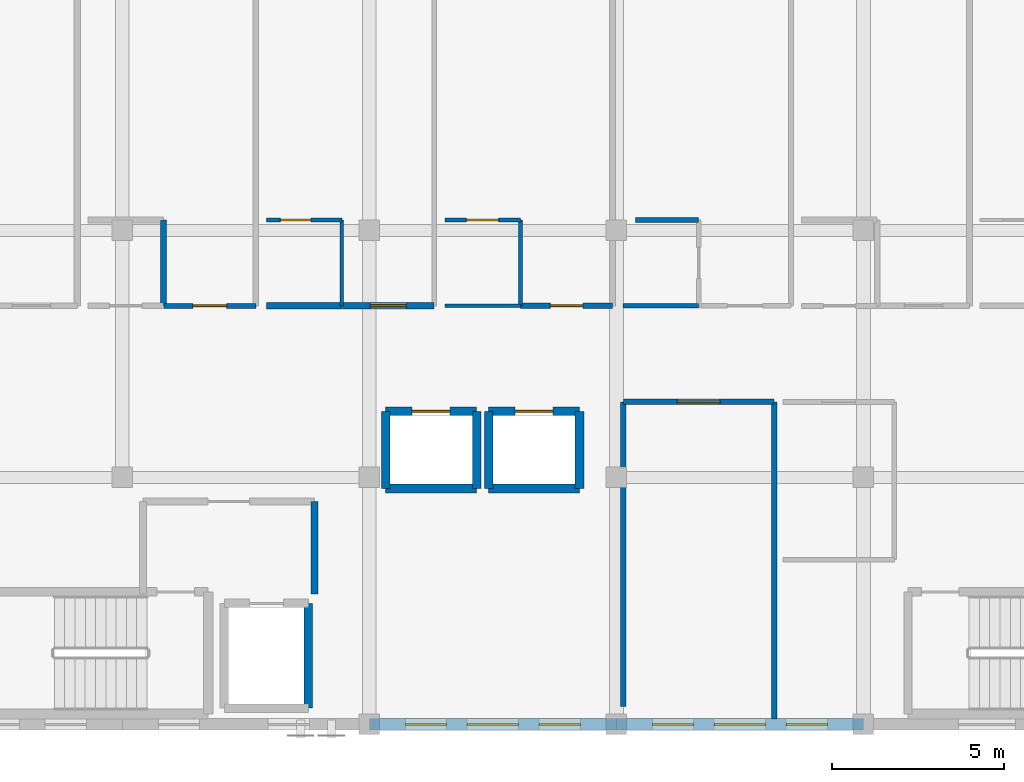
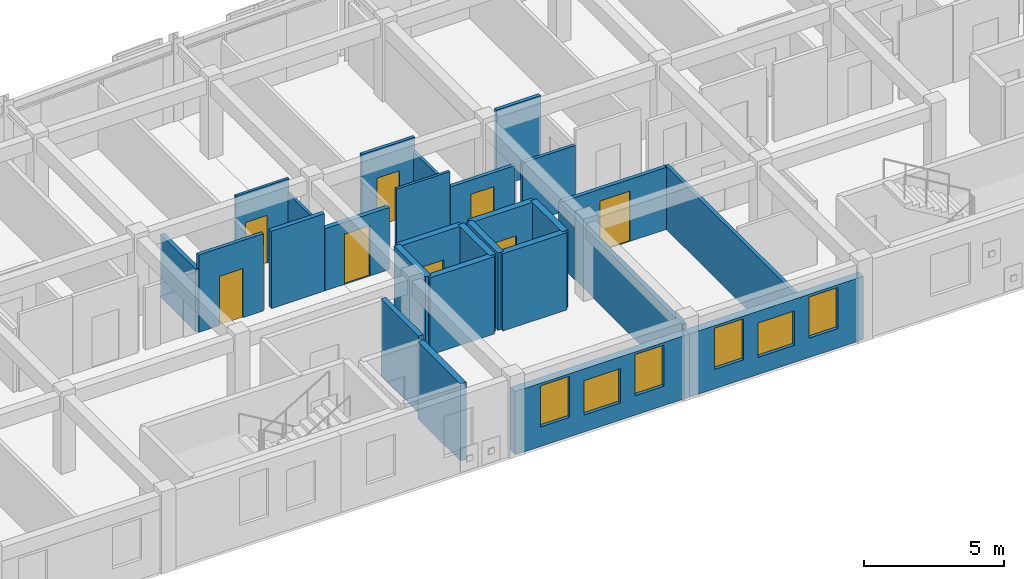
# One storey, part 33 of 41: 27 walls, 8 doors, 6 windows, 14 openings.
"""IFC4 building model written with IfcOpenShell, lengths in metres."""

from ifc_helpers import new_model, si_unit, direction, frame, frame_2d, origin, place, context, subcontext, project, spatial, rectangle, extrude, material, layer, layer_set, type_object, element, fill, save


model = new_model("IFC4")

# Units and contexts
model_context = context("Model", 3, precision=1e-05, world=origin(), true_north=direction((0.0, 1.0)))
body_context = subcontext(model_context, "Body", "Model", "MODEL_VIEW")
ifc_project = project(units=[si_unit("LENGTHUNIT", "METRE"), si_unit("AREAUNIT", "SQUARE_METRE"), si_unit("VOLUMEUNIT", "CUBIC_METRE"), si_unit("PLANEANGLEUNIT", "RADIAN"), si_unit("MASSUNIT", "GRAM", prefix="KILO")], contexts=[model_context])

# Site, building, storey
site_placement = place(None, origin())
site = spatial("IfcSite", under=ifc_project, at=site_placement, CompositionType="ELEMENT")
building_placement = place(site_placement, origin())
building = spatial("IfcBuilding", under=site, at=building_placement, Name="Carrowvane Square Congress Hotel", CompositionType="ELEMENT")
storey_placement = place(building_placement, frame((0.0, 0.0, 37.199951171875)))
storey = spatial("IfcBuildingStorey", under=building, at=storey_placement, Name="L09", CompositionType="ELEMENT", Elevation=37.199951171875)

# Wall, openings, windows
ifc_material_1 = material(Name="Glazed terracotta rainscreen", Category="masonry")
ifc_layer_1 = layer(ifc_material_1, 0.330078125)
ifc_layer_set_1 = layer_set([ifc_layer_1], Name="Glazed terracotta rainscreen")
wall_type_1 = type_object("IfcWallType", Name="WL-EXT-TC330", PredefinedType="STANDARD", material=ifc_layer_set_1)
wall_1_placement = place(storey_placement, frame((98.0, 91.800048828125, 0.0), z_axis=(0.0, 0.0, 1.0), x_axis=(-1.0, 0.0, 0.0)))
wall_1 = element("IfcWall", 1, at=wall_1_placement, inside=storey, type_object=wall_type_1, Name="L09 exterior facade wall 571", PredefinedType="STANDARD", context=body_context, shape_type="SweptSolid", body=[
    extrude(rectangle(XDim=7.199951171875, YDim=0.330078125, at=frame_2d((3.60009765625, 0.0))), origin(), (0.0, 0.0, 1.0), 2.76513671875),
])
opening_1_placement = place(wall_1_placement, frame((2.85009765625, 0.0, 0.75)))
opening_1 = element("IfcOpeningElement", 2, at=opening_1_placement, cuts=wall_1, Name="Opening W-15", PredefinedType="OPENING", context=body_context, shape_type="SweptSolid", body=[
    extrude(rectangle(XDim=1.5, YDim=1.5, at=frame_2d((0.75, 0.75))), frame((0.0, 0.175048828125, 0.0), z_axis=(0.0, -1.0, 0.0), x_axis=(1.0, 0.0, 0.0)), (0.0, 0.0, 1.0), 0.35009765625),
])
opening_2_placement = place(wall_1_placement, frame((1.050048828125, 0.0, 0.85009765625)))
opening_2 = element("IfcOpeningElement", 3, at=opening_2_placement, cuts=wall_1, Name="Opening W-01", PredefinedType="OPENING", context=body_context, shape_type="SweptSolid", body=[
    extrude(rectangle(XDim=1.199951171875, YDim=1.800048828125, at=frame_2d((0.60009765625, 0.89990234375))), frame((0.0, 0.175048828125, 0.0), z_axis=(0.0, -1.0, 0.0), x_axis=(1.0, 0.0, 0.0)), (0.0, 0.0, 1.0), 0.35009765625),
])
opening_3_placement = place(wall_1_placement, frame((4.949951171875, 0.0, 0.85009765625)))
opening_3 = element("IfcOpeningElement", 4, at=opening_3_placement, cuts=wall_1, Name="Opening W-01", PredefinedType="OPENING", context=body_context, shape_type="SweptSolid", body=[
    extrude(rectangle(XDim=1.199951171875, YDim=1.800048828125, at=frame_2d((0.60009765625, 0.89990234375))), frame((0.0, 0.175048828125, 0.0), z_axis=(0.0, -1.0, 0.0), x_axis=(1.0, 0.0, 0.0)), (0.0, 0.0, 1.0), 0.35009765625),
])
ifc_material_2 = material(Name="Double-glazed low-E glass", Category="glass")
window_type_1 = type_object("IfcWindowType", Name="WIN-01", PartitioningType="SINGLE_PANEL", PredefinedType="WINDOW", material=ifc_material_2)
window_1_placement = place(opening_2_placement, origin())
window_1 = element("IfcWindow", 5, at=window_1_placement, inside=storey, type_object=window_type_1, Name="L09 guest bedroom window 429", OverallHeight=1.800048828125, OverallWidth=1.199951171875, PartitioningType="SINGLE_PANEL", PredefinedType="WINDOW", context=body_context, shape_type="SweptSolid", body=[
    extrude(rectangle(XDim=1.199951171875, YDim=1.800048828125, at=frame_2d((0.60009765625, 0.89990234375))), frame((0.0, 0.030029296875, 0.0), z_axis=(0.0, -1.0, 0.0), x_axis=(1.0, 0.0, 0.0)), (0.0, 0.0, 1.0), 0.06005859375),
])
fill(opening_2, window_1)
window_2_placement = place(opening_3_placement, origin())
window_2 = element("IfcWindow", 6, at=window_2_placement, inside=storey, type_object=window_type_1, Name="L09 guest bedroom window 430", OverallHeight=1.800048828125, OverallWidth=1.199951171875, PartitioningType="SINGLE_PANEL", PredefinedType="WINDOW", context=body_context, shape_type="SweptSolid", body=[
    extrude(rectangle(XDim=1.199951171875, YDim=1.800048828125, at=frame_2d((0.60009765625, 0.89990234375))), frame((0.0, 0.030029296875, 0.0), z_axis=(0.0, -1.0, 0.0), x_axis=(1.0, 0.0, 0.0)), (0.0, 0.0, 1.0), 0.06005859375),
])
fill(opening_3, window_2)
ifc_material_3 = material(Name="Double-glazed low-E glass", Category="glass")
window_type_2 = type_object("IfcWindowType", Name="WIN-15", PartitioningType="SINGLE_PANEL", PredefinedType="WINDOW", material=ifc_material_3)
window_3_placement = place(opening_1_placement, origin())
window_3 = element("IfcWindow", 7, at=window_3_placement, inside=storey, type_object=window_type_2, Name="L09 facade window 428", OverallHeight=1.5, OverallWidth=1.5, PartitioningType="SINGLE_PANEL", PredefinedType="WINDOW", context=body_context, shape_type="SweptSolid", body=[
    extrude(rectangle(XDim=1.5, YDim=1.5, at=frame_2d((0.75, 0.75))), frame((0.0, 0.030029296875, 0.0), z_axis=(0.0, -1.0, 0.0), x_axis=(1.0, 0.0, 0.0)), (0.0, 0.0, 1.0), 0.06005859375),
])
fill(opening_1, window_3)

wall_2_placement = place(storey_placement, frame((90.800048828125, 91.800048828125, 0.0), z_axis=(0.0, 0.0, 1.0), x_axis=(-1.0, 0.0, 0.0)))
wall_2 = element("IfcWall", 8, at=wall_2_placement, inside=storey, type_object=wall_type_1, Name="L09 exterior facade wall 572", PredefinedType="STANDARD", context=body_context, shape_type="SweptSolid", body=[
    extrude(rectangle(XDim=7.199951171875, YDim=0.330078125, at=frame_2d((3.60009765625, 0.0))), origin(), (0.0, 0.0, 1.0), 2.76513671875),
])
opening_4_placement = place(wall_2_placement, frame((2.85009765625, 0.0, 0.75)))
opening_4 = element("IfcOpeningElement", 9, at=opening_4_placement, cuts=wall_2, Name="Opening W-15", PredefinedType="OPENING", context=body_context, shape_type="SweptSolid", body=[
    extrude(rectangle(XDim=1.5, YDim=1.5, at=frame_2d((0.75, 0.75))), frame((0.0, 0.175048828125, 0.0), z_axis=(0.0, -1.0, 0.0), x_axis=(1.0, 0.0, 0.0)), (0.0, 0.0, 1.0), 0.35009765625),
])
opening_5_placement = place(wall_2_placement, frame((1.050048828125, 0.0, 0.85009765625)))
opening_5 = element("IfcOpeningElement", 10, at=opening_5_placement, cuts=wall_2, Name="Opening W-01", PredefinedType="OPENING", context=body_context, shape_type="SweptSolid", body=[
    extrude(rectangle(XDim=1.199951171875, YDim=1.800048828125, at=frame_2d((0.60009765625, 0.89990234375))), frame((0.0, 0.175048828125, 0.0), z_axis=(0.0, -1.0, 0.0), x_axis=(1.0, 0.0, 0.0)), (0.0, 0.0, 1.0), 0.35009765625),
])
opening_6_placement = place(wall_2_placement, frame((4.949951171875, 0.0, 0.85009765625)))
opening_6 = element("IfcOpeningElement", 11, at=opening_6_placement, cuts=wall_2, Name="Opening W-01", PredefinedType="OPENING", context=body_context, shape_type="SweptSolid", body=[
    extrude(rectangle(XDim=1.199951171875, YDim=1.800048828125, at=frame_2d((0.60009765625, 0.89990234375))), frame((0.0, 0.175048828125, 0.0), z_axis=(0.0, -1.0, 0.0), x_axis=(1.0, 0.0, 0.0)), (0.0, 0.0, 1.0), 0.35009765625),
])
window_4_placement = place(opening_5_placement, origin())
window_4 = element("IfcWindow", 12, at=window_4_placement, inside=storey, type_object=window_type_1, Name="L09 guest bedroom window 432", OverallHeight=1.800048828125, OverallWidth=1.199951171875, PartitioningType="SINGLE_PANEL", PredefinedType="WINDOW", context=body_context, shape_type="SweptSolid", body=[
    extrude(rectangle(XDim=1.199951171875, YDim=1.800048828125, at=frame_2d((0.60009765625, 0.89990234375))), frame((0.0, 0.030029296875, 0.0), z_axis=(0.0, -1.0, 0.0), x_axis=(1.0, 0.0, 0.0)), (0.0, 0.0, 1.0), 0.06005859375),
])
fill(opening_5, window_4)
window_5_placement = place(opening_6_placement, origin())
window_5 = element("IfcWindow", 13, at=window_5_placement, inside=storey, type_object=window_type_1, Name="L09 guest bedroom window 433", OverallHeight=1.800048828125, OverallWidth=1.199951171875, PartitioningType="SINGLE_PANEL", PredefinedType="WINDOW", context=body_context, shape_type="SweptSolid", body=[
    extrude(rectangle(XDim=1.199951171875, YDim=1.800048828125, at=frame_2d((0.60009765625, 0.89990234375))), frame((0.0, 0.030029296875, 0.0), z_axis=(0.0, -1.0, 0.0), x_axis=(1.0, 0.0, 0.0)), (0.0, 0.0, 1.0), 0.06005859375),
])
fill(opening_6, window_5)
window_6_placement = place(opening_4_placement, origin())
window_6 = element("IfcWindow", 14, at=window_6_placement, inside=storey, type_object=window_type_2, Name="L09 facade window 431", OverallHeight=1.5, OverallWidth=1.5, PartitioningType="SINGLE_PANEL", PredefinedType="WINDOW", context=body_context, shape_type="SweptSolid", body=[
    extrude(rectangle(XDim=1.5, YDim=1.5, at=frame_2d((0.75, 0.75))), frame((0.0, 0.030029296875, 0.0), z_axis=(0.0, -1.0, 0.0), x_axis=(1.0, 0.0, 0.0)), (0.0, 0.0, 1.0), 0.06005859375),
])
fill(opening_4, window_6)

# Wall, opening, door
ifc_material_4 = material(Name="Acoustic gypsum board", Category="gypsum")
ifc_layer_2 = layer(ifc_material_4, 0.155029296875)
ifc_layer_set_2 = layer_set([ifc_layer_2], Name="Acoustic gypsum board")
wall_type_2 = type_object("IfcWallType", Name="WL-FIR-155", PredefinedType="PARTITIONING", material=ifc_layer_set_2)
wall_3_placement = place(storey_placement, frame((91.0, 101.199951171875, 0.0), z_axis=(0.0, 0.0, 1.0), x_axis=(1.0, 0.0, 0.0)))
wall_3 = element("IfcWall", 15, at=wall_3_placement, inside=storey, type_object=wall_type_2, Name="L09 L09 Housekeeping Linen Pantry partition", PredefinedType="PARTITIONING", context=body_context, shape_type="SweptSolid", body=[
    extrude(rectangle(XDim=4.39990234375, YDim=0.155029296875, at=frame_2d((2.199951171875, 0.0))), origin(), (0.0, 0.0, 1.0), 2.715087890625),
])
opening_7_placement = place(wall_3_placement, frame((1.574951171875, 0.0, 0.0)))
opening_7 = element("IfcOpeningElement", 16, at=opening_7_placement, cuts=wall_3, Name="Opening ID-10", PredefinedType="OPENING", context=body_context, shape_type="SweptSolid", body=[
    extrude(rectangle(XDim=1.25, YDim=2.199951171875, at=frame_2d((0.625, 1.10009765625))), frame((0.0, 0.08740234375, 0.0), z_axis=(0.0, -1.0, 0.0), x_axis=(1.0, 0.0, 0.0)), (0.0, 0.0, 1.0), 0.175048828125),
])
ifc_material_5 = material(Name="European oak timber", Category="wood")
door_type_1 = type_object("IfcDoorType", Name="DR-INT-1250x2200", OperationType="NOTDEFINED", PredefinedType="DOOR", material=ifc_material_5)
door_1_placement = place(opening_7_placement, origin())
door_1 = element("IfcDoor", 17, at=door_1_placement, inside=storey, type_object=door_type_1, Name="L09 L09 Housekeeping Linen Pantry entrance door", OperationType="SINGLE_SWING_LEFT", OverallHeight=2.199951171875, OverallWidth=1.25, PredefinedType="DOOR", context=body_context, shape_type="SweptSolid", body=[
    extrude(rectangle(XDim=1.25, YDim=2.199951171875, at=frame_2d((0.625, 1.10009765625))), frame((0.0, 0.02490234375, 0.0), z_axis=(0.0, -1.0, 0.0), x_axis=(1.0, 0.0, 0.0)), (0.0, 0.0, 1.0), 0.050048828125),
])
fill(opening_7, door_1)

wall_4_placement = place(storey_placement, frame((90.68994140625, 104.0, 0.0), z_axis=(0.0, 0.0, 1.0), x_axis=(-1.0, 0.0, 0.0)))
wall_4 = element("IfcWall", 18, at=wall_4_placement, inside=storey, type_object=wall_type_2, Name="L09 Parkview Guest Bedroom 0914 partition", PredefinedType="PARTITIONING", context=body_context, shape_type="SweptSolid", body=[
    extrude(rectangle(XDim=2.679931640625, YDim=0.155029296875, at=frame_2d((1.33984375, 0.0))), origin(), (0.0, 0.0, 1.0), 2.715087890625),
])
opening_8_placement = place(wall_4_placement, frame((0.864990234375, 0.0, 0.0)))
opening_8 = element("IfcOpeningElement", 19, at=opening_8_placement, cuts=wall_4, Name="Opening FD-06", PredefinedType="OPENING", context=body_context, shape_type="SweptSolid", body=[
    extrude(rectangle(XDim=0.949951171875, YDim=2.10009765625, at=frame_2d((0.47509765625, 1.050048828125))), frame((0.0, 0.08740234375, 0.0), z_axis=(0.0, -1.0, 0.0), x_axis=(1.0, 0.0, 0.0)), (0.0, 0.0, 1.0), 0.175048828125),
])
ifc_material_6 = material(Name="European oak timber", Category="wood")
door_type_2 = type_object("IfcDoorType", Name="DR-FD30-0950x2100", OperationType="NOTDEFINED", PredefinedType="DOOR", material=ifc_material_6)
door_2_placement = place(opening_8_placement, origin())
door_2 = element("IfcDoor", 20, at=door_2_placement, inside=storey, type_object=door_type_2, Name="L09 Parkview Guest Bedroom 0914 entrance door", OperationType="SINGLE_SWING_RIGHT", OverallHeight=2.10009765625, OverallWidth=0.949951171875, PredefinedType="DOOR", context=body_context, shape_type="SweptSolid", body=[
    extrude(rectangle(XDim=0.949951171875, YDim=2.10009765625, at=frame_2d((0.47509765625, 1.050048828125))), frame((0.0, 0.02490234375, 0.0), z_axis=(0.0, -1.0, 0.0), x_axis=(1.0, 0.0, 0.0)), (0.0, 0.0, 1.0), 0.050048828125),
])
fill(opening_8, door_2)

# Walls
ifc_material_7 = material(Name="Acoustic gypsum board", Category="gypsum")
ifc_layer_3 = layer(ifc_material_7, 0.169921875)
ifc_layer_set_3 = layer_set([ifc_layer_3], Name="Acoustic gypsum board")
wall_type_3 = type_object("IfcWallType", Name="WL-FIR-170", PredefinedType="PARTITIONING", material=ifc_layer_set_3)
wall_5_placement = place(storey_placement, frame((91.0, 92.320068359375, 0.0), z_axis=(0.0, 0.0, 1.0), x_axis=(0.0, 1.0, 0.0)))
element("IfcWall", 21, at=wall_5_placement, inside=storey, type_object=wall_type_3, Name="L09 L09 Housekeeping Linen Pantry partition", PredefinedType="PARTITIONING", context=body_context, shape_type="SweptSolid", body=[
    extrude(rectangle(XDim=8.8798828125, YDim=0.169921875, at=frame_2d((4.43994140625, 0.0))), origin(), (0.0, 0.0, 1.0), 2.715087890625),
])
wall_6_placement = place(storey_placement, frame((77.60009765625, 106.5, 0.0), z_axis=(0.0, 0.0, 1.0), x_axis=(0.0, -1.0, 0.0)))
element("IfcWall", 22, at=wall_6_placement, inside=storey, type_object=wall_type_3, Name="L09 En-suite Bathroom 0912 partition", PredefinedType="PARTITIONING", context=body_context, shape_type="SweptSolid", body=[
    extrude(rectangle(XDim=2.5, YDim=0.169921875, at=frame_2d((1.25, 0.0))), origin(), (0.0, 0.0, 1.0), 2.76513671875),
])
ifc_material_8 = material(Name="Acoustic gypsum board", Category="gypsum")
ifc_layer_4 = layer(ifc_material_8, 0.18505859375)
ifc_layer_set_4 = layer_set([ifc_layer_4], Name="Acoustic gypsum board")
wall_type_4 = type_object("IfcWallType", Name="WL-FIR-185", PredefinedType="PARTITIONING", material=ifc_layer_set_4)
wall_7_placement = place(storey_placement, frame((82.800048828125, 104.0, 0.0), z_axis=(0.0, 0.0, 1.0), x_axis=(-1.0, 0.0, 0.0)))
element("IfcWall", 23, at=wall_7_placement, inside=storey, type_object=wall_type_4, Name="L09 En-suite Bathroom 0913 partition", PredefinedType="PARTITIONING", context=body_context, shape_type="SweptSolid", body=[
    extrude(rectangle(XDim=2.199951171875, YDim=0.18505859375, at=frame_2d((1.10009765625, 0.0))), origin(), (0.0, 0.0, 1.0), 3.380126953125),
])

# Wall, opening, door
wall_8_placement = place(storey_placement, frame((85.489990234375, 104.0, 0.0), z_axis=(0.0, 0.0, 1.0), x_axis=(-1.0, 0.0, 0.0)))
wall_8 = element("IfcWall", 24, at=wall_8_placement, inside=storey, type_object=wall_type_4, Name="L09 Parkview Guest Bedroom 0913 partition", PredefinedType="PARTITIONING", context=body_context, shape_type="SweptSolid", body=[
    extrude(rectangle(XDim=2.679931640625, YDim=0.18505859375, at=frame_2d((1.33984375, 0.0))), origin(), (0.0, 0.0, 1.0), 2.715087890625),
])
opening_9_placement = place(wall_8_placement, frame((0.81005859375, 0.0, 0.0)))
opening_9 = element("IfcOpeningElement", 25, at=opening_9_placement, cuts=wall_8, Name="Opening FD-09", PredefinedType="OPENING", context=body_context, shape_type="SweptSolid", body=[
    extrude(rectangle(XDim=1.06005859375, YDim=2.199951171875, at=frame_2d((0.530029296875, 1.10009765625))), frame((0.0, 0.1025390625, 0.0), z_axis=(0.0, -1.0, 0.0), x_axis=(1.0, 0.0, 0.0)), (0.0, 0.0, 1.0), 0.205078125),
])
ifc_material_9 = material(Name="European oak timber", Category="wood")
door_type_3 = type_object("IfcDoorType", Name="DR-FD30-1060x2200", OperationType="NOTDEFINED", PredefinedType="DOOR", material=ifc_material_9)
door_3_placement = place(opening_9_placement, origin())
door_3 = element("IfcDoor", 26, at=door_3_placement, inside=storey, type_object=door_type_3, Name="L09 Parkview Guest Bedroom 0913 entrance door", OperationType="SINGLE_SWING_RIGHT", OverallHeight=2.199951171875, OverallWidth=1.06005859375, PredefinedType="DOOR", context=body_context, shape_type="SweptSolid", body=[
    extrude(rectangle(XDim=1.06005859375, YDim=2.199951171875, at=frame_2d((0.530029296875, 1.10009765625))), frame((0.0, 0.02490234375, 0.0), z_axis=(0.0, -1.0, 0.0), x_axis=(1.0, 0.0, 0.0)), (0.0, 0.0, 1.0), 0.050048828125),
])
fill(opening_9, door_3)

# Walls
ifc_material_10 = material(Name="Acoustic gypsum board", Category="gypsum")
ifc_layer_5 = layer(ifc_material_10, 0.205078125)
ifc_layer_set_5 = layer_set([ifc_layer_5], Name="Acoustic gypsum board")
wall_type_5 = type_object("IfcWallType", Name="WL-FIR-205", PredefinedType="PARTITIONING", material=ifc_layer_set_5)
wall_9_placement = place(storey_placement, frame((82.0, 95.60009765625, 0.0), z_axis=(0.0, 0.0, 1.0), x_axis=(0.0, 1.0, 0.0)))
element("IfcWall", 27, at=wall_9_placement, inside=storey, type_object=wall_type_5, Name="L09 Firefighting Lobby C2 wall east", PredefinedType="PARTITIONING", context=body_context, shape_type="SweptSolid", body=[
    extrude(rectangle(XDim=2.699951171875, YDim=0.205078125, at=frame_2d((1.35009765625, 0.0))), origin(), (0.0, 0.0, 1.0), 3.380126953125),
])
ifc_material_11 = material(Name="Acoustic gypsum board", Category="gypsum")
ifc_layer_6 = layer(ifc_material_11, 0.097900390625)
ifc_layer_set_6 = layer_set([ifc_layer_6], Name="Acoustic gypsum board")
wall_type_6 = type_object("IfcWallType", Name="WL-PRT-098", PredefinedType="PARTITIONING", material=ifc_layer_set_6)
wall_10_placement = place(storey_placement, frame((82.800048828125, 106.5, 0.0), z_axis=(0.0, 0.0, 1.0), x_axis=(0.0, -1.0, 0.0)))
element("IfcWall", 28, at=wall_10_placement, inside=storey, type_object=wall_type_6, Name="L09 En-suite Bathroom 0913 partition", PredefinedType="PARTITIONING", context=body_context, shape_type="SweptSolid", body=[
    extrude(rectangle(XDim=2.5, YDim=0.097900390625, at=frame_2d((1.25, 0.0))), origin(), (0.0, 0.0, 1.0), 2.76513671875),
])

# Wall, opening, door
ifc_material_12 = material(Name="Acoustic gypsum board", Category="gypsum")
ifc_layer_7 = layer(ifc_material_12, 0.10791015625)
ifc_layer_set_7 = layer_set([ifc_layer_7], Name="Acoustic gypsum board")
wall_type_7 = type_object("IfcWallType", Name="WL-PRT-108", PredefinedType="PARTITIONING", material=ifc_layer_set_7)
wall_11_placement = place(storey_placement, frame((80.60009765625, 106.5, 0.0), z_axis=(0.0, 0.0, 1.0), x_axis=(1.0, 0.0, 0.0)))
wall_11 = element("IfcWall", 29, at=wall_11_placement, inside=storey, type_object=wall_type_7, Name="L09 En-suite Bathroom 0913 partition", PredefinedType="PARTITIONING", context=body_context, shape_type="SweptSolid", body=[
    extrude(rectangle(XDim=2.199951171875, YDim=0.10791015625, at=frame_2d((1.10009765625, 0.0))), origin(), (0.0, 0.0, 1.0), 3.380126953125),
])
opening_10_placement = place(wall_11_placement, frame((0.405029296875, 0.0, 0.0)))
opening_10 = element("IfcOpeningElement", 30, at=opening_10_placement, cuts=wall_11, Name="Opening ID-16", PredefinedType="OPENING", context=body_context, shape_type="SweptSolid", body=[
    extrude(rectangle(XDim=0.889892578125, YDim=2.090087890625, at=frame_2d((0.44482421875, 1.044921875))), frame((0.0, 0.06396484375, 0.0), z_axis=(0.0, -1.0, 0.0), x_axis=(1.0, 0.0, 0.0)), (0.0, 0.0, 1.0), 0.1279296875),
])
ifc_material_13 = material(Name="European oak timber", Category="wood")
door_type_4 = type_object("IfcDoorType", Name="DR-INT-0890x2090", OperationType="NOTDEFINED", PredefinedType="DOOR", material=ifc_material_13)
door_4_placement = place(opening_10_placement, origin())
door_4 = element("IfcDoor", 31, at=door_4_placement, inside=storey, type_object=door_type_4, Name="L09 En-suite Bathroom 0913 door", OperationType="SINGLE_SWING_LEFT", OverallHeight=2.090087890625, OverallWidth=0.889892578125, PredefinedType="DOOR", context=body_context, shape_type="SweptSolid", body=[
    extrude(rectangle(XDim=0.889892578125, YDim=2.090087890625, at=frame_2d((0.44482421875, 1.044921875))), frame((0.0, 0.02490234375, 0.0), z_axis=(0.0, -1.0, 0.0), x_axis=(1.0, 0.0, 0.0)), (0.0, 0.0, 1.0), 0.050048828125),
])
fill(opening_10, door_4)

# Walls
wall_12_placement = place(storey_placement, frame((88.0, 104.0, 0.0), z_axis=(0.0, 0.0, 1.0), x_axis=(-1.0, 0.0, 0.0)))
element("IfcWall", 32, at=wall_12_placement, inside=storey, type_object=wall_type_7, Name="L09 En-suite Bathroom 0914 partition", PredefinedType="PARTITIONING", context=body_context, shape_type="SweptSolid", body=[
    extrude(rectangle(XDim=2.199951171875, YDim=0.10791015625, at=frame_2d((1.10009765625, 0.0))), origin(), (0.0, 0.0, 1.0), 3.380126953125),
])
ifc_material_14 = material(Name="Acoustic gypsum board", Category="gypsum")
ifc_layer_8 = layer(ifc_material_14, 0.117919921875)
ifc_layer_set_8 = layer_set([ifc_layer_8], Name="Acoustic gypsum board")
wall_type_8 = type_object("IfcWallType", Name="WL-PRT-118", PredefinedType="PARTITIONING", material=ifc_layer_set_8)
wall_13_placement = place(storey_placement, frame((88.0, 106.5, 0.0), z_axis=(0.0, 0.0, 1.0), x_axis=(0.0, -1.0, 0.0)))
element("IfcWall", 33, at=wall_13_placement, inside=storey, type_object=wall_type_8, Name="L09 En-suite Bathroom 0914 partition", PredefinedType="PARTITIONING", context=body_context, shape_type="SweptSolid", body=[
    extrude(rectangle(XDim=2.5, YDim=0.117919921875, at=frame_2d((1.25, 0.0))), origin(), (0.0, 0.0, 1.0), 2.76513671875),
])

# Wall, opening, door
ifc_material_15 = material(Name="Acoustic gypsum board", Category="gypsum")
ifc_layer_9 = layer(ifc_material_15, 0.1279296875)
ifc_layer_set_9 = layer_set([ifc_layer_9], Name="Acoustic gypsum board")
wall_type_9 = type_object("IfcWallType", Name="WL-PRT-128", PredefinedType="PARTITIONING", material=ifc_layer_set_9)
wall_14_placement = place(storey_placement, frame((85.800048828125, 106.5, 0.0), z_axis=(0.0, 0.0, 1.0), x_axis=(1.0, 0.0, 0.0)))
wall_14 = element("IfcWall", 34, at=wall_14_placement, inside=storey, type_object=wall_type_9, Name="L09 En-suite Bathroom 0914 partition", PredefinedType="PARTITIONING", context=body_context, shape_type="SweptSolid", body=[
    extrude(rectangle(XDim=2.199951171875, YDim=0.1279296875, at=frame_2d((1.10009765625, 0.0))), origin(), (0.0, 0.0, 1.0), 3.380126953125),
])
opening_11_placement = place(wall_14_placement, frame((0.635009765625, 0.0, 0.0)))
opening_11 = element("IfcOpeningElement", 35, at=opening_11_placement, cuts=wall_14, Name="Opening ID-18", PredefinedType="OPENING", context=body_context, shape_type="SweptSolid", body=[
    extrude(rectangle(XDim=0.929931640625, YDim=2.1298828125, at=frame_2d((0.46484375, 1.06494140625))), frame((0.0, 0.073974609375, 0.0), z_axis=(0.0, -1.0, 0.0), x_axis=(1.0, 0.0, 0.0)), (0.0, 0.0, 1.0), 0.14794921875),
])
ifc_material_16 = material(Name="European oak timber", Category="wood")
door_type_5 = type_object("IfcDoorType", Name="DR-INT-0930x2130", OperationType="NOTDEFINED", PredefinedType="DOOR", material=ifc_material_16)
door_5_placement = place(opening_11_placement, origin())
door_5 = element("IfcDoor", 36, at=door_5_placement, inside=storey, type_object=door_type_5, Name="L09 En-suite Bathroom 0914 door", OperationType="SINGLE_SWING_LEFT", OverallHeight=2.1298828125, OverallWidth=0.929931640625, PredefinedType="DOOR", context=body_context, shape_type="SweptSolid", body=[
    extrude(rectangle(XDim=0.929931640625, YDim=2.1298828125, at=frame_2d((0.46484375, 1.06494140625))), frame((0.0, 0.02490234375, 0.0), z_axis=(0.0, -1.0, 0.0), x_axis=(1.0, 0.0, 0.0)), (0.0, 0.0, 1.0), 0.050048828125),
])
fill(opening_11, door_5)

# Walls
wall_15_placement = place(storey_placement, frame((93.199951171875, 104.0, 0.0), z_axis=(0.0, 0.0, 1.0), x_axis=(-1.0, 0.0, 0.0)))
element("IfcWall", 37, at=wall_15_placement, inside=storey, type_object=wall_type_9, Name="L09 En-suite Bathroom 0915 partition", PredefinedType="PARTITIONING", context=body_context, shape_type="SweptSolid", body=[
    extrude(rectangle(XDim=2.199951171875, YDim=0.1279296875, at=frame_2d((1.10009765625, 0.0))), origin(), (0.0, 0.0, 1.0), 2.715087890625),
])
ifc_material_17 = material(Name="Acoustic gypsum board", Category="gypsum")
ifc_layer_10 = layer(ifc_material_17, 0.14794921875)
ifc_layer_set_10 = layer_set([ifc_layer_10], Name="Acoustic gypsum board")
wall_type_10 = type_object("IfcWallType", Name="WL-PRT-148", PredefinedType="PARTITIONING", material=ifc_layer_set_10)
wall_16_placement = place(storey_placement, frame((95.39990234375, 101.199951171875, 0.0), z_axis=(0.0, 0.0, 1.0), x_axis=(0.0, -1.0, 0.0)))
element("IfcWall", 38, at=wall_16_placement, inside=storey, type_object=wall_type_10, Name="L09 L09 Housekeeping Linen Pantry partition", PredefinedType="PARTITIONING", context=body_context, shape_type="SweptSolid", body=[
    extrude(rectangle(XDim=9.239990234375, YDim=0.14794921875, at=frame_2d((4.6201171875, 0.0))), origin(), (0.0, 0.0, 1.0), 2.76513671875),
])

# Wall, opening, door
wall_17_placement = place(storey_placement, frame((80.2900390625, 104.0, 0.0), z_axis=(0.0, 0.0, 1.0), x_axis=(-1.0, 0.0, 0.0)))
wall_17 = element("IfcWall", 39, at=wall_17_placement, inside=storey, type_object=wall_type_10, Name="L09 Parkview Guest Bedroom 0912 partition", PredefinedType="PARTITIONING", context=body_context, shape_type="SweptSolid", body=[
    extrude(rectangle(XDim=2.679931640625, YDim=0.14794921875, at=frame_2d((1.33984375, 0.0))), origin(), (0.0, 0.0, 1.0), 3.380126953125),
])
opening_12_placement = place(wall_17_placement, frame((0.85009765625, 0.0, 0.0)))
opening_12 = element("IfcOpeningElement", 40, at=opening_12_placement, cuts=wall_17, Name="Opening FD-07", PredefinedType="OPENING", context=body_context, shape_type="SweptSolid", body=[
    extrude(rectangle(XDim=0.97998046875, YDim=2.14990234375, at=frame_2d((0.489990234375, 1.074951171875))), frame((0.0, 0.083984375, 0.0), z_axis=(0.0, -1.0, 0.0), x_axis=(1.0, 0.0, 0.0)), (0.0, 0.0, 1.0), 0.16796875),
])
ifc_material_18 = material(Name="European oak timber", Category="wood")
door_type_6 = type_object("IfcDoorType", Name="DR-FD30-0980x2150", OperationType="NOTDEFINED", PredefinedType="DOOR", material=ifc_material_18)
door_6_placement = place(opening_12_placement, origin())
door_6 = element("IfcDoor", 41, at=door_6_placement, inside=storey, type_object=door_type_6, Name="L09 Parkview Guest Bedroom 0912 entrance door", OperationType="SINGLE_SWING_RIGHT", OverallHeight=2.14990234375, OverallWidth=0.97998046875, PredefinedType="DOOR", context=body_context, shape_type="SweptSolid", body=[
    extrude(rectangle(XDim=0.97998046875, YDim=2.14990234375, at=frame_2d((0.489990234375, 1.074951171875))), frame((0.0, 0.02490234375, 0.0), z_axis=(0.0, -1.0, 0.0), x_axis=(1.0, 0.0, 0.0)), (0.0, 0.0, 1.0), 0.050048828125),
])
fill(opening_12, door_6)

# Walls
wall_18_placement = place(storey_placement, frame((91.360107421875, 106.5, 0.0), z_axis=(0.0, 0.0, 1.0), x_axis=(1.0, 0.0, 0.0)))
element("IfcWall", 42, at=wall_18_placement, inside=storey, type_object=wall_type_10, Name="L09 En-suite Bathroom 0915 partition", PredefinedType="PARTITIONING", context=body_context, shape_type="SweptSolid", body=[
    extrude(rectangle(XDim=1.83984375, YDim=0.14794921875, at=frame_2d((0.919921875, 0.0))), origin(), (0.0, 0.0, 1.0), 3.380126953125),
])
ifc_material_19 = material(Name="Concrete C40/50", Category="concrete")
ifc_layer_11 = layer(ifc_material_19, 0.25)
ifc_layer_set_11 = layer_set([ifc_layer_11], Name="Concrete C40/50")
wall_type_11 = type_object("IfcWallType", Name="WL-SHR-250", PredefinedType="SHEAR", material=ifc_layer_set_11)
wall_19_placement = place(storey_placement, frame((81.824951171875, 92.27490234375, 0.0), z_axis=(0.0, 0.0, 1.0), x_axis=(0.0, 1.0, 0.0)))
element("IfcWall", 43, at=wall_19_placement, inside=storey, type_object=wall_type_11, Name="L09 FFL-2 shaft wall east", PredefinedType="SHEAR", context=body_context, shape_type="SweptSolid", body=[
    extrude(rectangle(XDim=3.050048828125, YDim=0.25, at=frame_2d((1.52490234375, 0.0))), origin(), (0.0, 0.0, 1.0), 3.380126953125),
])
wall_20_placement = place(storey_placement, frame((84.074951171875, 98.675048828125, 0.0), z_axis=(0.0, 0.0, 1.0), x_axis=(1.0, 0.0, 0.0)))
element("IfcWall", 44, at=wall_20_placement, inside=storey, type_object=wall_type_11, Name="L09 HL-1 shaft wall south", PredefinedType="SHEAR", context=body_context, shape_type="SweptSolid", body=[
    extrude(rectangle(XDim=2.650146484375, YDim=0.25, at=frame_2d((1.3251953125, 0.0))), origin(), (0.0, 0.0, 1.0), 3.380126953125),
])
wall_21_placement = place(storey_placement, frame((86.72509765625, 98.675048828125, 0.0), z_axis=(0.0, 0.0, 1.0), x_axis=(0.0, 1.0, 0.0)))
element("IfcWall", 45, at=wall_21_placement, inside=storey, type_object=wall_type_11, Name="L09 HL-1 shaft wall east", PredefinedType="SHEAR", context=body_context, shape_type="SweptSolid", body=[
    extrude(rectangle(XDim=2.25, YDim=0.25, at=frame_2d((1.125, 0.0))), origin(), (0.0, 0.0, 1.0), 3.380126953125),
])

# Wall, opening, door
wall_22_placement = place(storey_placement, frame((86.72509765625, 100.925048828125, 0.0), z_axis=(0.0, 0.0, 1.0), x_axis=(-1.0, 0.0, 0.0)))
wall_22 = element("IfcWall", 46, at=wall_22_placement, inside=storey, type_object=wall_type_11, Name="L09 HL-1 shaft wall north", PredefinedType="SHEAR", context=body_context, shape_type="SweptSolid", body=[
    extrude(rectangle(XDim=2.650146484375, YDim=0.25, at=frame_2d((1.3251953125, 0.0))), origin(), (0.0, 0.0, 1.0), 3.380126953125),
])
opening_13_placement = place(wall_22_placement, frame((0.77490234375, 0.0, 0.0)))
opening_13 = element("IfcOpeningElement", 47, at=opening_13_placement, cuts=wall_22, Name="Opening LD-HL-1", PredefinedType="OPENING", context=body_context, shape_type="SweptSolid", body=[
    extrude(rectangle(XDim=1.10009765625, YDim=2.14990234375, at=frame_2d((0.550048828125, 1.074951171875))), frame((0.0, 0.135009765625, 0.0), z_axis=(0.0, -1.0, 0.0), x_axis=(1.0, 0.0, 0.0)), (0.0, 0.0, 1.0), 0.27001953125),
])
ifc_material_20 = material(Name="Stainless steel 316", Category="steel")
door_type_7 = type_object("IfcDoorType", Name="DR-LD-1100x2150", OperationType="DOUBLE_DOOR_SLIDING", PredefinedType="DOOR", material=ifc_material_20)
door_7_placement = place(opening_13_placement, origin())
door_7 = element("IfcDoor", 48, at=door_7_placement, inside=storey, type_object=door_type_7, Name="L09 HL-1 sliding lift landing door", OperationType="DOUBLE_DOOR_SLIDING", OverallHeight=2.14990234375, OverallWidth=1.10009765625, PredefinedType="DOOR", context=body_context, shape_type="SweptSolid", body=[
    extrude(rectangle(XDim=1.10009765625, YDim=2.14990234375, at=frame_2d((0.550048828125, 1.074951171875))), frame((0.0, 0.02490234375, 0.0), z_axis=(0.0, -1.0, 0.0), x_axis=(1.0, 0.0, 0.0)), (0.0, 0.0, 1.0), 0.050048828125),
])
fill(opening_13, door_7)

# Walls
wall_23_placement = place(storey_placement, frame((84.074951171875, 100.925048828125, 0.0), z_axis=(0.0, 0.0, 1.0), x_axis=(0.0, -1.0, 0.0)))
element("IfcWall", 49, at=wall_23_placement, inside=storey, type_object=wall_type_11, Name="L09 HL-1 shaft wall west", PredefinedType="SHEAR", context=body_context, shape_type="SweptSolid", body=[
    extrude(rectangle(XDim=2.25, YDim=0.25, at=frame_2d((1.125, 0.0))), origin(), (0.0, 0.0, 1.0), 3.380126953125),
])
wall_24_placement = place(storey_placement, frame((87.074951171875, 98.675048828125, 0.0), z_axis=(0.0, 0.0, 1.0), x_axis=(1.0, 0.0, 0.0)))
element("IfcWall", 50, at=wall_24_placement, inside=storey, type_object=wall_type_11, Name="L09 HL-2 shaft wall south", PredefinedType="SHEAR", context=body_context, shape_type="SweptSolid", body=[
    extrude(rectangle(XDim=2.650146484375, YDim=0.25, at=frame_2d((1.3251953125, 0.0))), origin(), (0.0, 0.0, 1.0), 3.380126953125),
])
wall_25_placement = place(storey_placement, frame((89.72509765625, 98.675048828125, 0.0), z_axis=(0.0, 0.0, 1.0), x_axis=(0.0, 1.0, 0.0)))
element("IfcWall", 51, at=wall_25_placement, inside=storey, type_object=wall_type_11, Name="L09 HL-2 shaft wall east", PredefinedType="SHEAR", context=body_context, shape_type="SweptSolid", body=[
    extrude(rectangle(XDim=2.25, YDim=0.25, at=frame_2d((1.125, 0.0))), origin(), (0.0, 0.0, 1.0), 3.380126953125),
])

# Wall, opening, door
wall_26_placement = place(storey_placement, frame((89.72509765625, 100.925048828125, 0.0), z_axis=(0.0, 0.0, 1.0), x_axis=(-1.0, 0.0, 0.0)))
wall_26 = element("IfcWall", 52, at=wall_26_placement, inside=storey, type_object=wall_type_11, Name="L09 HL-2 shaft wall north", PredefinedType="SHEAR", context=body_context, shape_type="SweptSolid", body=[
    extrude(rectangle(XDim=2.650146484375, YDim=0.25, at=frame_2d((1.3251953125, 0.0))), origin(), (0.0, 0.0, 1.0), 3.380126953125),
])
opening_14_placement = place(wall_26_placement, frame((0.77490234375, 0.0, 0.0)))
opening_14 = element("IfcOpeningElement", 53, at=opening_14_placement, cuts=wall_26, Name="Opening LD-HL-2", PredefinedType="OPENING", context=body_context, shape_type="SweptSolid", body=[
    extrude(rectangle(XDim=1.10009765625, YDim=2.14990234375, at=frame_2d((0.550048828125, 1.074951171875))), frame((0.0, 0.135009765625, 0.0), z_axis=(0.0, -1.0, 0.0), x_axis=(1.0, 0.0, 0.0)), (0.0, 0.0, 1.0), 0.27001953125),
])
door_8_placement = place(opening_14_placement, origin())
door_8 = element("IfcDoor", 54, at=door_8_placement, inside=storey, type_object=door_type_7, Name="L09 HL-2 sliding lift landing door", OperationType="DOUBLE_DOOR_SLIDING", OverallHeight=2.14990234375, OverallWidth=1.10009765625, PredefinedType="DOOR", context=body_context, shape_type="SweptSolid", body=[
    extrude(rectangle(XDim=1.10009765625, YDim=2.14990234375, at=frame_2d((0.550048828125, 1.074951171875))), frame((0.0, 0.02490234375, 0.0), z_axis=(0.0, -1.0, 0.0), x_axis=(1.0, 0.0, 0.0)), (0.0, 0.0, 1.0), 0.050048828125),
])
fill(opening_14, door_8)

# Wall
wall_27_placement = place(storey_placement, frame((87.074951171875, 100.925048828125, 0.0), z_axis=(0.0, 0.0, 1.0), x_axis=(0.0, -1.0, 0.0)))
element("IfcWall", 55, at=wall_27_placement, inside=storey, type_object=wall_type_11, Name="L09 HL-2 shaft wall west", PredefinedType="SHEAR", context=body_context, shape_type="SweptSolid", body=[
    extrude(rectangle(XDim=2.25, YDim=0.25, at=frame_2d((1.125, 0.0))), origin(), (0.0, 0.0, 1.0), 3.380126953125),
])

save(model, "model.ifc")
